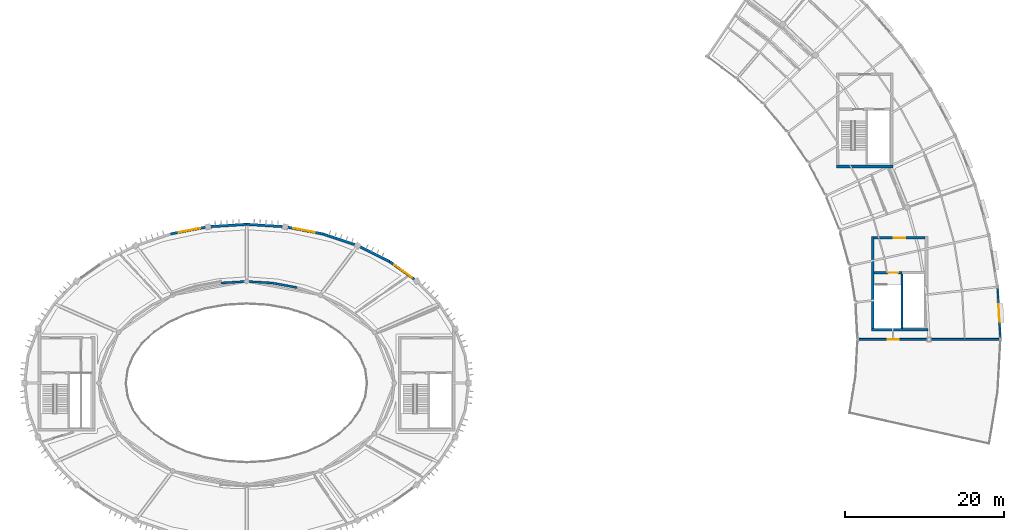
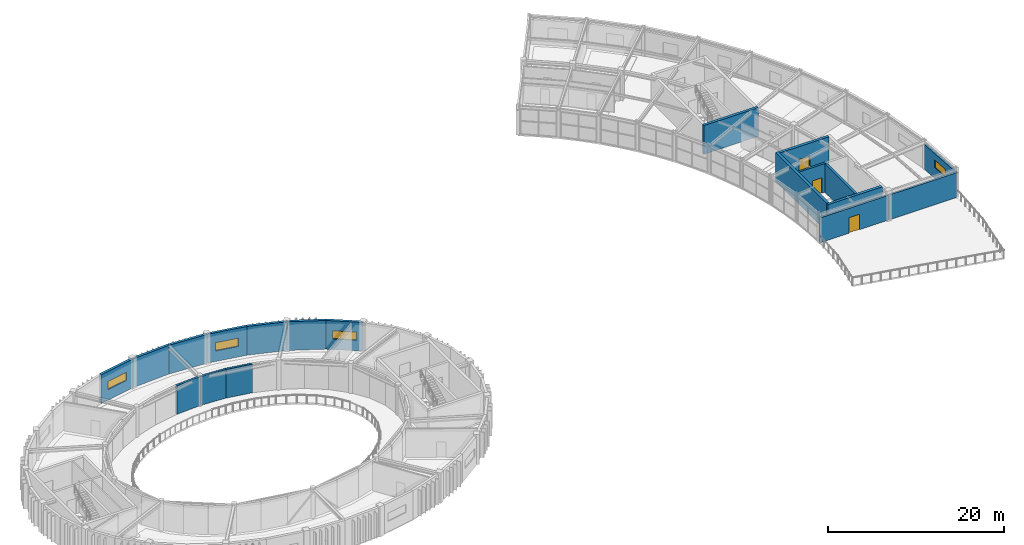
# One storey, part 19 of 29: 19 walls, 4 windows, 3 doors, 7 openings.
"""IFC4 building model written with IfcOpenShell, lengths in metres."""

from ifc_helpers import new_model, si_unit, direction, frame, frame_2d, origin, place, context, subcontext, project, spatial, rectangle, extrude, material, layer, layer_set, type_object, element, fill, save


model = new_model("IFC4")

# Units and contexts
model_context = context("Model", 3, precision=1e-05, world=origin(), true_north=direction((0.0, 1.0)))
body_context = subcontext(model_context, "Body", "Model", "MODEL_VIEW")
ifc_project = project(units=[si_unit("LENGTHUNIT", "METRE"), si_unit("AREAUNIT", "SQUARE_METRE"), si_unit("VOLUMEUNIT", "CUBIC_METRE"), si_unit("PLANEANGLEUNIT", "RADIAN"), si_unit("MASSUNIT", "GRAM", prefix="KILO")], contexts=[model_context])

# Site, building, storey
site_placement = place(None, origin())
site = spatial("IfcSite", under=ifc_project, at=site_placement, CompositionType="ELEMENT")
building_placement = place(site_placement, origin())
building = spatial("IfcBuilding", under=site, at=building_placement, Name="Tarnveldt Headland Concert Hall", CompositionType="ELEMENT")
storey_placement = place(building_placement, frame((0.0, 0.0, 18.60009765625)))
storey = spatial("IfcBuildingStorey", under=building, at=storey_placement, Name="L04", CompositionType="ELEMENT", Elevation=18.60009765625)

# Wall, opening, window
ifc_material_1 = material(Name="Concrete C40/50", Category="concrete")
ifc_layer_1 = layer(ifc_material_1, 0.324951171875, Name="Concrete C40/50", Category="concrete")
ifc_layer_set_1 = layer_set([ifc_layer_1], Name="Concrete C40/50")
wall_type_1 = type_object("IfcWallType", Name="WL-CR325", PredefinedType="SHEAR", material=ifc_layer_set_1)
wall_1_placement = place(storey_placement, frame((104.94921875, 67.355712890625, 0.0), z_axis=(0.0, 0.0, 1.0), x_axis=(-0.813737360708, 0.581232748378, 0.0)))
wall_1 = element("IfcWall", 1, at=wall_1_placement, inside=storey, type_object=wall_type_1, Name="Symphony drum shear wall L04-5", PredefinedType="SHEAR", context=body_context, shape_type="SweptSolid", body=[
    extrude(rectangle(XDim=4.2412109375, YDim=0.324951171875, at=frame_2d((2.12060546875, 0.0))), origin(), (0.0, 0.0, 1.0), 3.97998046875),
])
opening_1_placement = place(wall_1_placement, frame((0.74560546875, 0.0, 1.449951171875)))
opening_1 = element("IfcOpeningElement", 2, at=opening_1_placement, cuts=wall_1, Name="Opening W-D008", PredefinedType="OPENING", context=body_context, shape_type="SweptSolid", body=[
    extrude(rectangle(XDim=2.75, YDim=1.14990234375, at=frame_2d((1.375, 0.574951171875))), frame((0.0, 0.17236328125, 0.0), z_axis=(0.0, -1.0, 0.0), x_axis=(1.0, 0.0, 0.0)), (0.0, 0.0, 1.0), 0.344970703125),
])
ifc_material_2 = material(Name="Acoustic laminated low-iron double glazing", Category="glass")
window_type_1 = type_object("IfcWindowType", Name="WN-22", PartitioningType="SINGLE_PANEL", PredefinedType="WINDOW", material=ifc_material_2)
window_1_placement = place(opening_1_placement, origin())
window_1 = element("IfcWindow", 3, at=window_1_placement, inside=storey, type_object=window_type_1, Name="Drum acoustic gallery window L04-5", OverallHeight=1.14990234375, OverallWidth=2.75, PartitioningType="SINGLE_PANEL", PredefinedType="WINDOW", context=body_context, shape_type="SweptSolid", body=[
    extrude(rectangle(XDim=2.75, YDim=1.14990234375, at=frame_2d((1.375, 0.574951171875))), frame((0.0, 0.030029296875, 0.0), z_axis=(0.0, -1.0, 0.0), x_axis=(1.0, 0.0, 0.0)), (0.0, 0.0, 1.0), 0.06005859375),
])
fill(opening_1, window_1)

# Walls
wall_2_placement = place(storey_placement, frame((101.498046875, 69.82080078125, 0.0), z_axis=(0.0, 0.0, 1.0), x_axis=(-0.894361644392, 0.447344664705, 0.0)))
element("IfcWall", 4, at=wall_2_placement, inside=storey, type_object=wall_type_1, Name="Symphony drum shear wall L04-6", PredefinedType="SHEAR", context=body_context, shape_type="SweptSolid", body=[
    extrude(rectangle(XDim=4.47021484375, YDim=0.324951171875, at=frame_2d((2.235107421875, 0.0))), origin(), (0.0, 0.0, 1.0), 3.97998046875),
])
wall_3_placement = place(storey_placement, frame((97.5, 71.820556640625, 0.0), z_axis=(0.0, 0.0, 1.0), x_axis=(-0.948751350732, 0.316023534699, 0.0)))
element("IfcWall", 5, at=wall_3_placement, inside=storey, type_object=wall_type_1, Name="Symphony drum shear wall L04-7", PredefinedType="SHEAR", context=body_context, shape_type="SweptSolid", body=[
    extrude(rectangle(XDim=4.662353515625, YDim=0.324951171875, at=frame_2d((2.3310546875, 0.0))), origin(), (0.0, 0.0, 1.0), 3.97998046875),
])

# Wall, opening, window
wall_4_placement = place(storey_placement, frame((93.07666015625, 73.2939453125, 0.0), z_axis=(0.0, 0.0, 1.0), x_axis=(-0.982172578083, 0.187981453503, 0.0)))
wall_4 = element("IfcWall", 6, at=wall_4_placement, inside=storey, type_object=wall_type_1, Name="Symphony drum shear wall L04-8", PredefinedType="SHEAR", context=body_context, shape_type="SweptSolid", body=[
    extrude(rectangle(XDim=4.80029296875, YDim=0.324951171875, at=frame_2d((2.400146484375, 0.0))), origin(), (0.0, 0.0, 1.0), 3.97998046875),
])
opening_2_placement = place(wall_4_placement, frame((1.02490234375, 0.0, 1.449951171875)))
opening_2 = element("IfcOpeningElement", 7, at=opening_2_placement, cuts=wall_4, Name="Opening W-D009", PredefinedType="OPENING", context=body_context, shape_type="SweptSolid", body=[
    extrude(rectangle(XDim=2.75, YDim=1.14990234375, at=frame_2d((1.375, 0.574951171875))), frame((0.0, 0.17236328125, 0.0), z_axis=(0.0, -1.0, 0.0), x_axis=(1.0, 0.0, 0.0)), (0.0, 0.0, 1.0), 0.344970703125),
])
window_2_placement = place(opening_2_placement, origin())
window_2 = element("IfcWindow", 8, at=window_2_placement, inside=storey, type_object=window_type_1, Name="Drum acoustic gallery window L04-8", OverallHeight=1.14990234375, OverallWidth=2.75, PartitioningType="SINGLE_PANEL", PredefinedType="WINDOW", context=body_context, shape_type="SweptSolid", body=[
    extrude(rectangle(XDim=2.75, YDim=1.14990234375, at=frame_2d((1.375, 0.574951171875))), frame((0.0, 0.030029296875, 0.0), z_axis=(0.0, -1.0, 0.0), x_axis=(1.0, 0.0, 0.0)), (0.0, 0.0, 1.0), 0.06005859375),
])
fill(opening_2, window_2)

# Walls
for number, where, z_axis, x_axis, name in (
    (9, (88.362060546875, 74.1962890625, 0.0), (0.0, 0.0, 1.0), (-0.998054722924, 0.06234396562, 0.0), "Symphony drum shear wall L04-9"),
    (10, (83.5, 74.5, 0.0), (0.0, 0.0, 1.0), (-0.998054722924, -0.06234396562, 0.0), "Symphony drum shear wall L04-10"),
):
    element("IfcWall", number, at=place(storey_placement, frame(where, z_axis=z_axis, x_axis=x_axis)), inside=storey, type_object=wall_type_1, Name=name, PredefinedType="SHEAR", context=body_context, shape_type="SweptSolid", body=[
        extrude(rectangle(XDim=4.87158203125, YDim=0.324951171875, at=frame_2d((2.435791015625, 0.0))), origin(), (0.0, 0.0, 1.0), 3.97998046875),
    ])

# Wall, opening, window
wall_5_placement = place(storey_placement, frame((78.637939453125, 74.1962890625, 0.0), z_axis=(0.0, 0.0, 1.0), x_axis=(-0.982172578083, -0.187981453503, 0.0)))
wall_5 = element("IfcWall", 11, at=wall_5_placement, inside=storey, type_object=wall_type_1, Name="Symphony drum shear wall L04-11", PredefinedType="SHEAR", context=body_context, shape_type="SweptSolid", body=[
    extrude(rectangle(XDim=4.80029296875, YDim=0.324951171875, at=frame_2d((2.400146484375, 0.0))), origin(), (0.0, 0.0, 1.0), 3.97998046875),
])
opening_3_placement = place(wall_5_placement, frame((1.02490234375, 0.0, 1.449951171875)))
opening_3 = element("IfcOpeningElement", 12, at=opening_3_placement, cuts=wall_5, Name="Opening W-D010", PredefinedType="OPENING", context=body_context, shape_type="SweptSolid", body=[
    extrude(rectangle(XDim=2.75, YDim=1.14990234375, at=frame_2d((1.375, 0.574951171875))), frame((0.0, 0.17236328125, 0.0), z_axis=(0.0, -1.0, 0.0), x_axis=(1.0, 0.0, 0.0)), (0.0, 0.0, 1.0), 0.344970703125),
])
window_3_placement = place(opening_3_placement, origin())
window_3 = element("IfcWindow", 13, at=window_3_placement, inside=storey, type_object=window_type_1, Name="Drum acoustic gallery window L04-11", OverallHeight=1.14990234375, OverallWidth=2.75, PartitioningType="SINGLE_PANEL", PredefinedType="WINDOW", context=body_context, shape_type="SweptSolid", body=[
    extrude(rectangle(XDim=2.75, YDim=1.14990234375, at=frame_2d((1.375, 0.574951171875))), frame((0.0, 0.030029296875, 0.0), z_axis=(0.0, -1.0, 0.0), x_axis=(1.0, 0.0, 0.0)), (0.0, 0.0, 1.0), 0.06005859375),
])
fill(opening_3, window_3)

# Walls
ifc_layer_2 = layer(ifc_material_1, 0.35009765625, Name="Concrete C40/50", Category="concrete")
ifc_layer_set_2 = layer_set([ifc_layer_2], Name="Concrete C40/50")
wall_type_2 = type_object("IfcWallType", Name="WL-CR350", PredefinedType="SHEAR", material=ifc_layer_set_2)
wall_6_placement = place(storey_placement, frame((157.824951171875, 81.800048828125, 0.0), z_axis=(0.0, 0.0, 1.0), x_axis=(1.0, 0.0, 0.0)))
element("IfcWall", 14, at=wall_6_placement, inside=storey, type_object=wall_type_2, Name="Core C3 south shear wall L04", PredefinedType="SHEAR", context=body_context, shape_type="SweptSolid", body=[
    extrude(rectangle(XDim=7.150146484375, YDim=0.35009765625, at=frame_2d((3.5751953125, 0.0))), origin(), (0.0, 0.0, 1.0), 3.97998046875),
])
wall_7_placement = place(storey_placement, frame((162.22509765625, 61.199951171875, 0.0), z_axis=(0.0, 0.0, 1.0), x_axis=(1.0, 0.0, 0.0)))
element("IfcWall", 15, at=wall_7_placement, inside=storey, type_object=wall_type_2, Name="Core C4 south shear wall L04", PredefinedType="SHEAR", context=body_context, shape_type="SweptSolid", body=[
    extrude(rectangle(XDim=7.14990234375, YDim=0.35009765625, at=frame_2d((3.574951171875, 0.0))), origin(), (0.0, 0.0, 1.0), 3.97998046875),
])

# Wall, opening, door
wall_8_placement = place(storey_placement, frame((162.574951171875, 72.800048828125, 0.0), z_axis=(0.0, 0.0, 1.0), x_axis=(1.0, 0.0, 0.0)))
wall_8 = element("IfcWall", 16, at=wall_8_placement, inside=storey, type_object=wall_type_2, Name="Core C4 north shear wall L04", PredefinedType="SHEAR", context=body_context, shape_type="SweptSolid", body=[
    extrude(rectangle(XDim=6.449951171875, YDim=0.35009765625, at=frame_2d((3.22509765625, 0.0))), origin(), (0.0, 0.0, 1.0), 3.97998046875),
])
opening_4_placement = place(wall_8_placement, frame((2.5, 0.0, 0.0)))
opening_4 = element("IfcOpeningElement", 17, at=opening_4_placement, cuts=wall_8, Name="Opening LBD-C4-L04", PredefinedType="OPENING", context=body_context, shape_type="SweptSolid", body=[
    extrude(rectangle(XDim=1.449951171875, YDim=2.199951171875, at=frame_2d((0.72509765625, 1.10009765625))), frame((0.0, 0.18505859375, 0.0), z_axis=(0.0, -1.0, 0.0), x_axis=(1.0, 0.0, 0.0)), (0.0, 0.0, 1.0), 0.3701171875),
])
ifc_material_3 = material(Name="Galvanised painted steel sheet", Category="steel")
door_type_1 = type_object("IfcDoorType", Name="DR-LB145", OperationType="NOTDEFINED", PredefinedType="DOOR", material=ifc_material_3)
door_1_placement = place(opening_4_placement, origin())
door_1 = element("IfcDoor", 18, at=door_1_placement, inside=storey, type_object=door_type_1, Name="Core C4 lobby entrance door L04", OperationType="SINGLE_SWING_LEFT", OverallHeight=2.199951171875, OverallWidth=1.449951171875, PredefinedType="DOOR", context=body_context, shape_type="SweptSolid", body=[
    extrude(rectangle(XDim=1.449951171875, YDim=2.199951171875, at=frame_2d((0.72509765625, 1.10009765625))), frame((0.0, 0.02490234375, 0.0), z_axis=(0.0, -1.0, 0.0), x_axis=(1.0, 0.0, 0.0)), (0.0, 0.0, 1.0), 0.050048828125),
])
fill(opening_4, door_1)

# Wall
wall_9_placement = place(storey_placement, frame((162.39990234375, 61.375, 0.0), z_axis=(0.0, 0.0, 1.0), x_axis=(0.0, 1.0, 0.0)))
element("IfcWall", 19, at=wall_9_placement, inside=storey, type_object=wall_type_2, Name="Core C4 west shear wall L04", PredefinedType="SHEAR", context=body_context, shape_type="SweptSolid", body=[
    extrude(rectangle(XDim=11.60009765625, YDim=0.35009765625, at=frame_2d((5.800048828125, 0.0))), origin(), (0.0, 0.0, 1.0), 3.97998046875),
])

# Wall, opening, window
ifc_material_4 = material(Name="Coral-toned precast concrete C40/50", Category="concrete")
ifc_layer_3 = layer(ifc_material_4, 0.239990234375, Name="Coral-toned precast concrete C40/50", Category="concrete")
ifc_layer_set_3 = layer_set([ifc_layer_3], Name="Coral-toned precast concrete C40/50")
wall_type_3 = type_object("IfcWallType", Name="WL-EX240", PredefinedType="SOLIDWALL", material=ifc_layer_set_3)
wall_10_placement = place(storey_placement, frame((178.1416015625, 66.591552734375, 0.0), z_axis=(0.0, 0.0, 1.0), x_axis=(0.05427216263, -0.998526180109, 0.0)))
wall_10 = element("IfcWall", 20, at=wall_10_placement, inside=storey, type_object=wall_type_3, Name="External precast wall L04-163", PredefinedType="SOLIDWALL", context=body_context, shape_type="SweptSolid", body=[
    extrude(rectangle(XDim=6.581298828125, YDim=0.239990234375, at=frame_2d((3.29052734375, 0.0))), origin(), (0.0, 0.0, 1.0), 3.44287109375),
])
opening_5_placement = place(wall_10_placement, frame((2.190673828125, 0.0, 1.5)))
opening_5 = element("IfcOpeningElement", 21, at=opening_5_placement, cuts=wall_10, Name="Opening W-C081", PredefinedType="OPENING", context=body_context, shape_type="SweptSolid", body=[
    extrude(rectangle(XDim=2.199951171875, YDim=1.050048828125, at=frame_2d((1.10009765625, 0.52490234375))), frame((0.0, 0.1298828125, 0.0), z_axis=(0.0, -1.0, 0.0), x_axis=(1.0, 0.0, 0.0)), (0.0, 0.0, 1.0), 0.260009765625),
])
window_type_2 = type_object("IfcWindowType", Name="WN-25", PartitioningType="SINGLE_PANEL", PredefinedType="WINDOW", material=ifc_material_2)
window_4_placement = place(opening_5_placement, origin())
window_4 = element("IfcWindow", 22, at=window_4_placement, inside=storey, type_object=window_type_2, Name="Crescent coastal studio window L04-10", OverallHeight=1.050048828125, OverallWidth=2.199951171875, PartitioningType="SINGLE_PANEL", PredefinedType="WINDOW", context=body_context, shape_type="SweptSolid", body=[
    extrude(rectangle(XDim=2.199951171875, YDim=1.050048828125, at=frame_2d((1.10009765625, 0.52490234375))), frame((0.0, 0.030029296875, 0.0), z_axis=(0.0, -1.0, 0.0), x_axis=(1.0, 0.0, 0.0)), (0.0, 0.0, 1.0), 0.06005859375),
])
fill(opening_5, window_4)

# Wall, opening, door
ifc_layer_4 = layer(ifc_material_4, 0.25, Name="Coral-toned precast concrete C40/50", Category="concrete")
ifc_layer_set_4 = layer_set([ifc_layer_4], Name="Coral-toned precast concrete C40/50")
wall_type_4 = type_object("IfcWallType", Name="WL-EX250", PredefinedType="SOLIDWALL", material=ifc_layer_set_4)
wall_11_placement = place(storey_placement, frame((169.47998046875, 60.0, 0.0), z_axis=(0.0, 0.0, 1.0), x_axis=(-1.0, 0.0, 0.0)))
wall_11 = element("IfcWall", 23, at=wall_11_placement, inside=storey, type_object=wall_type_4, Name="External precast wall L04-172", PredefinedType="SOLIDWALL", context=body_context, shape_type="SweptSolid", body=[
    extrude(rectangle(XDim=8.9599609375, YDim=0.25, at=frame_2d((4.47998046875, 0.0))), origin(), (0.0, 0.0, 1.0), 3.44287109375),
])
opening_6_placement = place(wall_11_placement, frame((3.780029296875, 0.0, 0.0)))
opening_6 = element("IfcOpeningElement", 24, at=opening_6_placement, cuts=wall_11, Name="Opening TD-C4", PredefinedType="OPENING", context=body_context, shape_type="SweptSolid", body=[
    extrude(rectangle(XDim=1.39990234375, YDim=2.14990234375, at=frame_2d((0.699951171875, 1.074951171875))), frame((0.0, 0.135009765625, 0.0), z_axis=(0.0, -1.0, 0.0), x_axis=(1.0, 0.0, 0.0)), (0.0, 0.0, 1.0), 0.27001953125),
])
ifc_material_5 = material(Name="Marine-anodised aluminium EN AW-6063-T6", Category="aluminium")
door_type_2 = type_object("IfcDoorType", Name="DR-TR140", OperationType="NOTDEFINED", PredefinedType="DOOR", material=ifc_material_5)
door_2_placement = place(opening_6_placement, origin())
door_2 = element("IfcDoor", 25, at=door_2_placement, inside=storey, type_object=door_type_2, Name="Crescent coastal terrace door L04", OperationType="SINGLE_SWING_LEFT", OverallHeight=2.14990234375, OverallWidth=1.39990234375, PredefinedType="DOOR", context=body_context, shape_type="SweptSolid", body=[
    extrude(rectangle(XDim=1.39990234375, YDim=2.14990234375, at=frame_2d((0.699951171875, 1.074951171875))), frame((0.0, 0.02490234375, 0.0), z_axis=(0.0, -1.0, 0.0), x_axis=(1.0, 0.0, 0.0)), (0.0, 0.0, 1.0), 0.050048828125),
])
fill(opening_6, door_2)

# Walls
wall_12_placement = place(storey_placement, frame((178.47998046875, 60.0, 0.0), z_axis=(0.0, 0.0, 1.0), x_axis=(-1.0, 0.0, 0.0)))
element("IfcWall", 26, at=wall_12_placement, inside=storey, type_object=wall_type_4, Name="External precast wall L04-173", PredefinedType="SOLIDWALL", context=body_context, shape_type="SweptSolid", body=[
    extrude(rectangle(XDim=8.9599609375, YDim=0.25, at=frame_2d((4.47998046875, 0.0))), origin(), (0.0, 0.0, 1.0), 3.44287109375),
])
ifc_layer_5 = layer(ifc_material_1, 0.27490234375, Name="Concrete C40/50", Category="concrete")
ifc_layer_set_5 = layer_set([ifc_layer_5], Name="Concrete C40/50")
wall_type_5 = type_object("IfcWallType", Name="WL-SH275", PredefinedType="SHEAR", material=ifc_layer_set_5)
wall_13_placement = place(storey_placement, frame((89.861572265625, 66.528076171875, 0.0), z_axis=(0.0, 0.0, 1.0), x_axis=(-0.9834240594, 0.18132048807, 0.0)))
element("IfcWall", 27, at=wall_13_placement, inside=storey, type_object=wall_type_5, Name="Acoustic inner box wall L04-8", PredefinedType="SHEAR", context=body_context, shape_type="SweptSolid", body=[
    extrude(rectangle(XDim=3.184326171875, YDim=0.27490234375, at=frame_2d((1.59228515625, 0.0))), origin(), (0.0, 0.0, 1.0), 3.97998046875),
])
for number, where, z_axis, x_axis, name in (
    (28, (86.72998046875, 67.10546875, 0.0), (0.0, 0.0, 1.0), (-0.99819038223, 0.060132859761, 0.0), "Acoustic inner box wall L04-9"),
    (29, (83.5, 67.300048828125, 0.0), (0.0, 0.0, 1.0), (-0.99819038223, -0.060132859761, 0.0), "Acoustic inner box wall L04-10"),
):
    element("IfcWall", number, at=place(storey_placement, frame(where, z_axis=z_axis, x_axis=x_axis)), inside=storey, type_object=wall_type_5, Name=name, PredefinedType="SHEAR", context=body_context, shape_type="SweptSolid", body=[
        extrude(rectangle(XDim=3.23583984375, YDim=0.27490234375, at=frame_2d((1.617919921875, 0.0))), origin(), (0.0, 0.0, 1.0), 3.97998046875),
    ])
wall_14_placement = place(storey_placement, frame((166.10009765625, 61.375, 0.0), z_axis=(0.0, 0.0, 1.0), x_axis=(0.0, 1.0, 0.0)))
element("IfcWall", 30, at=wall_14_placement, inside=storey, type_object=wall_type_5, Name="Core C4 shaft divider wall L04", PredefinedType="SHEAR", context=body_context, shape_type="SweptSolid", body=[
    extrude(rectangle(XDim=6.887451171875, YDim=0.27490234375, at=frame_2d((3.44384765625, 0.0))), origin(), (0.0, 0.0, 1.0), 3.97998046875),
])

# Wall, opening, door
wall_15_placement = place(storey_placement, frame((162.574951171875, 68.39990234375, 0.0), z_axis=(0.0, 0.0, 1.0), x_axis=(1.0, 0.0, 0.0)))
wall_15 = element("IfcWall", 31, at=wall_15_placement, inside=storey, type_object=wall_type_5, Name="Core C4 stair enclosure wall L04", PredefinedType="SHEAR", context=body_context, shape_type="SweptSolid", body=[
    extrude(rectangle(XDim=3.525146484375, YDim=0.27490234375, at=frame_2d((1.7626953125, 0.0))), origin(), (0.0, 0.0, 1.0), 3.97998046875),
])
opening_7_placement = place(wall_15_placement, frame((1.784912109375, 0.0, 0.0)))
opening_7 = element("IfcOpeningElement", 32, at=opening_7_placement, cuts=wall_15, Name="Opening SD-C4-L04", PredefinedType="OPENING", context=body_context, shape_type="SweptSolid", body=[
    extrude(rectangle(XDim=1.25, YDim=2.14990234375, at=frame_2d((0.625, 1.074951171875))), frame((0.0, 0.1474609375, 0.0), z_axis=(0.0, -1.0, 0.0), x_axis=(1.0, 0.0, 0.0)), (0.0, 0.0, 1.0), 0.294921875),
])
door_type_3 = type_object("IfcDoorType", Name="DR-ST125", OperationType="NOTDEFINED", PredefinedType="DOOR", material=ifc_material_3)
door_3_placement = place(opening_7_placement, origin())
door_3 = element("IfcDoor", 33, at=door_3_placement, inside=storey, type_object=door_type_3, Name="Core C4 stair fire door L04", OperationType="SINGLE_SWING_RIGHT", OverallHeight=2.14990234375, OverallWidth=1.25, PredefinedType="DOOR", context=body_context, shape_type="SweptSolid", body=[
    extrude(rectangle(XDim=1.25, YDim=2.14990234375, at=frame_2d((0.625, 1.074951171875))), frame((0.0, 0.02490234375, 0.0), z_axis=(0.0, -1.0, 0.0), x_axis=(1.0, 0.0, 0.0)), (0.0, 0.0, 1.0), 0.050048828125),
])
fill(opening_7, door_3)

save(model, "model.ifc")
